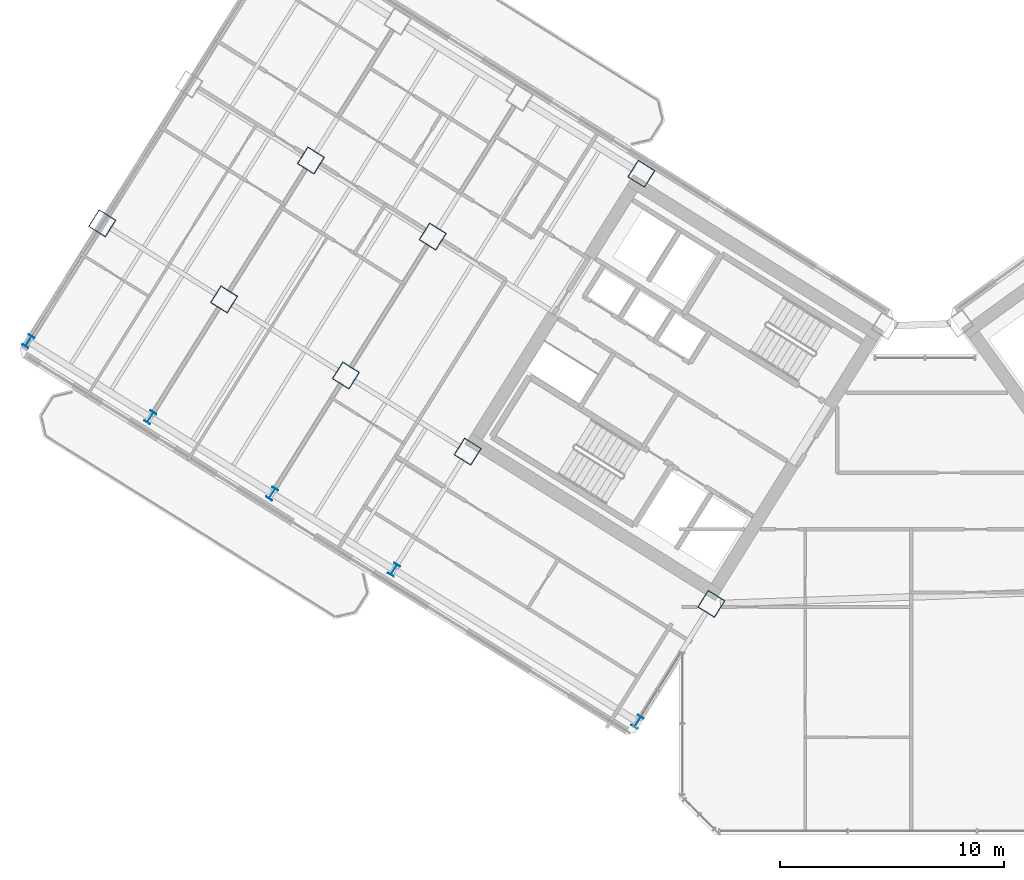
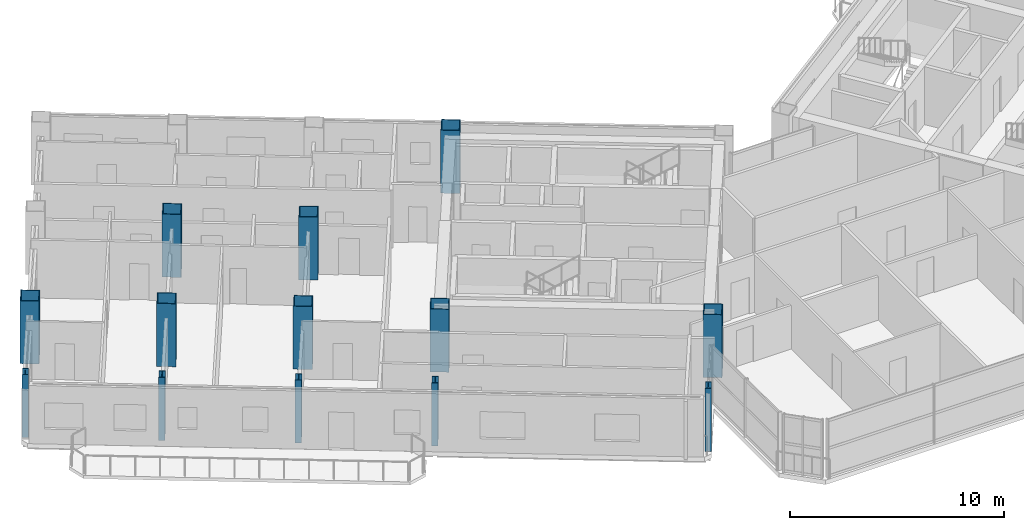
# One storey, part 1 of 29: 13 columns.
"""IFC4 building model written with IfcOpenShell, lengths in metres."""

from ifc_helpers import new_model, si_unit, direction, frame, origin, origin_2d, place, context, subcontext, project, spatial, hollow_rectangle, i_section, extrude, source, transform, mapped, material, material_profile, profile_set, type_object, element, save


model = new_model("IFC4")

# Units and contexts
model_context = context("Model", 3, precision=1e-05, world=origin(), true_north=direction((0.0, 1.0)))
body_context = subcontext(model_context, "Body", "Model", "MODEL_VIEW")
ifc_project = project(units=[si_unit("LENGTHUNIT", "METRE"), si_unit("AREAUNIT", "SQUARE_METRE"), si_unit("VOLUMEUNIT", "CUBIC_METRE"), si_unit("PLANEANGLEUNIT", "RADIAN"), si_unit("MASSUNIT", "GRAM", prefix="KILO")], contexts=[model_context])

# Site, building, storey
site_placement = place(None, origin())
site = spatial("IfcSite", under=ifc_project, at=site_placement, CompositionType="ELEMENT")
building_placement = place(site_placement, origin())
building = spatial("IfcBuilding", under=site, at=building_placement, Name="Tlacorven Tower", CompositionType="ELEMENT")
storey_placement = place(building_placement, frame((0.0, 0.0, 165.89990234375)))
storey = spatial("IfcBuildingStorey", under=building, at=storey_placement, Name="L42", CompositionType="ELEMENT", Elevation=165.89990234375)

# Columns
ifc_material = material(Name="Steel S460M", Category="steel")
ifc_material_profile_1 = material_profile(ifc_material, hollow_rectangle(XDim=0.89990234375, YDim=0.89990234375, WallThickness=0.035888671875, at=origin_2d()), Name="BOX 900X900X36")
ifc_profile_set_1 = profile_set([ifc_material_profile_1], Name="Steel S460M")
column_type_1 = type_object("IfcColumnType", Name="COL-TWR-S2", PredefinedType="COLUMN", material=ifc_profile_set_1)
shared_shape_1 = source(origin(), body_context, "Body", "SweptSolid", [
    extrude(hollow_rectangle(XDim=0.89990234375, YDim=0.89990234375, WallThickness=0.035888671875, at=origin_2d()), origin(), (0.0, 0.0, 1.0), 3.60009765625),
])
for number, where, z_axis, x_axis, name in (
    (1, (33.046142578125, 12.0869140625, 0.0), (0.0, 0.0, 1.0), (-0.848048096156, 0.529919264233, 0.0), "L42 column COL-L42-W1-3"),
    (2, (29.927978515625, 31.25146484375, 0.0), (0.0, 0.0, 1.0), (-0.848048096156, 0.529919264233, 0.0), "L42 column COL-L42-W3-1"),
    (3, (22.191162109375, 18.869873046875, 0.0), (0.0, 0.0, 1.0), (-0.848048096156, 0.529919264233, 0.0), "L42 column COL-L42-W3-3"),
    (4, (20.632080078125, 28.4521484375, 0.0), (0.0, 0.0, 1.0), (-0.848048096156, 0.529919264233, 0.0), "L42 column COL-L42-W4-2"),
    (5, (16.763671875, 22.26123046875, 0.0), (0.0, 0.0, 1.0), (-0.848048096156, 0.529919264233, 0.0), "L42 column COL-L42-W4-3"),
    (6, (15.20458984375, 31.843505859375, 0.0), (0.0, 0.0, 1.0), (-0.848048096156, 0.529919264233, 0.0), "L42 column COL-L42-W5-2"),
    (7, (11.336181640625, 25.65283203125, 0.0), (0.0, 0.0, 1.0), (-0.848048096156, 0.529919264233, 0.0), "L42 column COL-L42-W5-3"),
    (8, (5.90869140625, 29.044189453125, 0.0), (0.0, 0.0, 1.0), (-0.848048096156, 0.529919264233, 0.0), "L42 column COL-L42-W6-3"),
):
    element("IfcColumn", number, at=place(storey_placement, frame(where, z_axis=z_axis, x_axis=x_axis)), inside=storey, type_object=column_type_1, Name=name, PredefinedType="COLUMN", context=body_context, shape_type="MappedRepresentation", body=[
        mapped(shared_shape_1, transform((0.0, 0.0, 0.0), scale=1.0)),
    ])
ifc_material_profile_2 = material_profile(ifc_material, i_section(OverallWidth=0.300048828125, OverallDepth=0.550048828125, WebThickness=0.014892578125, FlangeThickness=0.029052734375, at=origin_2d()), Name="HEB 550")
ifc_profile_set_2 = profile_set([ifc_material_profile_2], Name="Steel S460M")
column_type_2 = type_object("IfcColumnType", Name="COL-TWR-P2", PredefinedType="COLUMN", material=ifc_profile_set_2)
shared_shape_2 = source(origin(), body_context, "Body", "SweptSolid", [
    extrude(i_section(OverallWidth=0.300048828125, OverallDepth=0.550048828125, WebThickness=0.014892578125, FlangeThickness=0.029052734375, at=origin_2d()), origin(), (0.0, 0.0, 1.0), 3.60009765625),
])
for number, where, z_axis, x_axis, name in (
    (9, (29.7607421875, 6.8291015625, 0.0), (0.0, 0.0, 1.0), (-0.848048096156, 0.529919264233, 0.0), "L42 column COL-L42-W1-4"),
    (10, (18.905517578125, 13.612060546875, 0.0), (0.0, 0.0, 1.0), (-0.848048096156, 0.529919264233, 0.0), "L42 column COL-L42-W3-4"),
    (11, (13.47802734375, 17.00341796875, 0.0), (0.0, 0.0, 1.0), (-0.848048096156, 0.529919264233, 0.0), "L42 column COL-L42-W4-4"),
    (12, (8.050537109375, 20.39501953125, 0.0), (0.0, 0.0, 1.0), (-0.848048096156, 0.529919264233, 0.0), "L42 column COL-L42-W5-4"),
    (13, (2.623046875, 23.786376953125, 0.0), (0.0, 0.0, 1.0), (-0.848048096156, 0.529919264233, 0.0), "L42 column COL-L42-W6-4"),
):
    element("IfcColumn", number, at=place(storey_placement, frame(where, z_axis=z_axis, x_axis=x_axis)), inside=storey, type_object=column_type_2, Name=name, PredefinedType="COLUMN", context=body_context, shape_type="MappedRepresentation", body=[
        mapped(shared_shape_2, transform((0.0, 0.0, 0.0), scale=1.0)),
    ])

save(model, "model.ifc")
